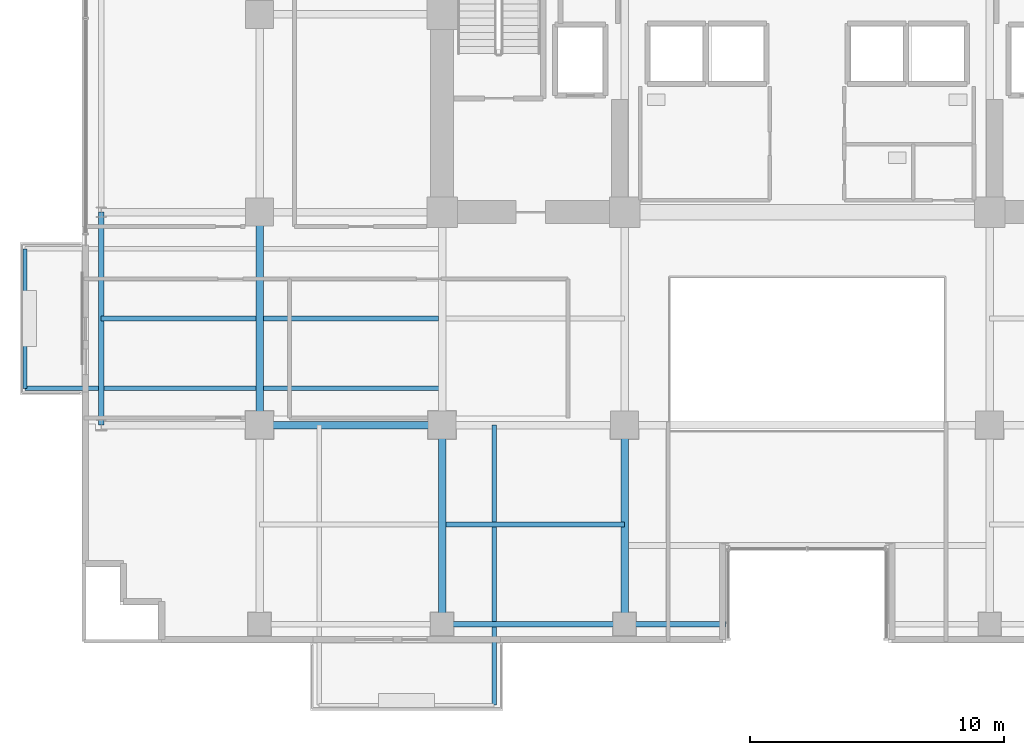
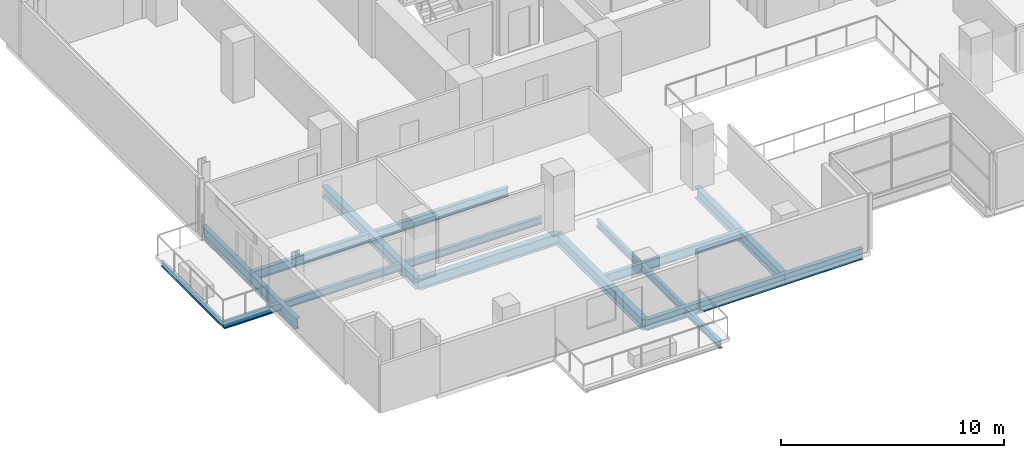
# One storey, part 2 of 32: 13 beams.
"""IFC4 building model written with IfcOpenShell, lengths in metres."""

from ifc_helpers import new_model, si_unit, direction, frame, origin, origin_2d, place, context, subcontext, project, spatial, i_section, extrude, material, material_profile, profile_set, type_object, element, save


model = new_model("IFC4")

# Units and contexts
model_context = context("Model", 3, precision=1e-05, world=origin(), true_north=direction((0.0, 1.0)))
body_context = subcontext(model_context, "Body", "Model", "MODEL_VIEW")
ifc_project = project(units=[si_unit("LENGTHUNIT", "METRE"), si_unit("AREAUNIT", "SQUARE_METRE"), si_unit("VOLUMEUNIT", "CUBIC_METRE"), si_unit("PLANEANGLEUNIT", "RADIAN"), si_unit("MASSUNIT", "GRAM", prefix="KILO")], contexts=[model_context])

# Site, building, storey
site_placement = place(None, origin())
site = spatial("IfcSite", under=ifc_project, at=site_placement, CompositionType="ELEMENT")
building_placement = place(site_placement, origin())
building = spatial("IfcBuilding", under=site, at=building_placement, Name="Zarnakvel Exchange Tower", CompositionType="ELEMENT")
storey_placement = place(building_placement, frame((0.0, 0.0, 73.60009765625)))
storey = spatial("IfcBuildingStorey", under=building, at=storey_placement, Name="L20", CompositionType="ELEMENT", Elevation=73.60009765625)

# Beams
ifc_material = material(Name="Steel S355", Category="steel")
ifc_material_profile_1 = material_profile(ifc_material, i_section(OverallWidth=0.199951171875, OverallDepth=0.5, WebThickness=0.01025390625, FlangeThickness=0.01611328125, FilletRadius=0.02099609375, at=origin_2d()))
ifc_profile_set_1 = profile_set([ifc_material_profile_1], Name="Steel S355")
beam_type_1 = type_object("IfcBeamType", Name="B-04", PredefinedType="JOIST", material=ifc_profile_set_1)
beam_1_placement = place(storey_placement, frame((-14.25, -13.52490234375, -0.47509765625), z_axis=(1.0, 0.0, 0.0), x_axis=(0.0, 1.0, 0.0)))
element("IfcBeam", 1, at=beam_1_placement, inside=storey, type_object=beam_type_1, Name="L20 Composite Floor Secondary Joist", PredefinedType="JOIST", context=body_context, shape_type="SweptSolid", body=[
    extrude(i_section(OverallWidth=0.199951171875, OverallDepth=0.5, WebThickness=0.01025390625, FlangeThickness=0.01611328125, FilletRadius=0.02099609375, at=origin_2d()), origin(), (0.0, 0.0, 1.0), 7.050048828125),
])
beam_2_placement = place(storey_placement, frame((-27.85009765625, -5.39990234375, -0.47509765625), z_axis=(1.0, 0.0, 0.0), x_axis=(0.0, 1.0, 0.0)))
element("IfcBeam", 2, at=beam_2_placement, inside=storey, type_object=beam_type_1, Name="L20 Composite Floor Secondary Joist", PredefinedType="JOIST", context=body_context, shape_type="SweptSolid", body=[
    extrude(i_section(OverallWidth=0.199951171875, OverallDepth=0.5, WebThickness=0.01025390625, FlangeThickness=0.01611328125, FilletRadius=0.02099609375, at=origin_2d()), origin(), (0.0, 0.0, 1.0), 6.10009765625),
])
beam_3_placement = place(storey_placement, frame((-21.449951171875, -5.39990234375, -0.47509765625), z_axis=(1.0, 0.0, 0.0), x_axis=(0.0, 1.0, 0.0)))
element("IfcBeam", 3, at=beam_3_placement, inside=storey, type_object=beam_type_1, Name="L20 Composite Floor Secondary Joist", PredefinedType="JOIST", context=body_context, shape_type="SweptSolid", body=[
    extrude(i_section(OverallWidth=0.199951171875, OverallDepth=0.5, WebThickness=0.01025390625, FlangeThickness=0.01611328125, FilletRadius=0.02099609375, at=origin_2d()), origin(), (0.0, 0.0, 1.0), 6.89990234375),
])
ifc_material_profile_2 = material_profile(ifc_material, i_section(OverallWidth=0.179931640625, OverallDepth=0.39990234375, WebThickness=0.008544921875, FlangeThickness=0.013427734375, FilletRadius=0.02099609375, at=origin_2d()))
ifc_profile_set_2 = profile_set([ifc_material_profile_2], Name="Steel S355")
beam_type_2 = type_object("IfcBeamType", Name="B-06", PredefinedType="JOIST", material=ifc_profile_set_2)
beam_4_placement = place(storey_placement, frame((-12.35009765625, -9.60009765625, -0.425048828125), z_axis=(0.0, -1.0, 0.0), x_axis=(1.0, 0.0, 0.0)))
element("IfcBeam", 4, at=beam_4_placement, inside=storey, type_object=beam_type_2, Name="L20 Continuous Back-Spanned Balcony Beam E", PredefinedType="JOIST", context=body_context, shape_type="SweptSolid", body=[
    extrude(i_section(OverallWidth=0.179931640625, OverallDepth=0.39990234375, WebThickness=0.008544921875, FlangeThickness=0.013427734375, FilletRadius=0.02099609375, at=origin_2d()), origin(), (0.0, 0.0, 1.0), 11.0498046875),
])
beam_5_placement = place(storey_placement, frame((-14.39990234375, -8.14990234375, -0.425048828125), z_axis=(-1.0, 0.0, 0.0), x_axis=(0.0, -1.0, 0.0)))
element("IfcBeam", 5, at=beam_5_placement, inside=storey, type_object=beam_type_2, Name="L20 Continuous West Loggia Beam S", PredefinedType="JOIST", context=body_context, shape_type="SweptSolid", body=[
    extrude(i_section(OverallWidth=0.179931640625, OverallDepth=0.39990234375, WebThickness=0.008544921875, FlangeThickness=0.013427734375, FilletRadius=0.02099609375, at=origin_2d()), origin(), (0.0, 0.0, 1.0), 16.4501953125),
])
ifc_material_profile_3 = material_profile(ifc_material, i_section(OverallWidth=0.14990234375, OverallDepth=0.300048828125, WebThickness=0.007080078125, FlangeThickness=0.0107421875, FilletRadius=0.014892578125, at=origin_2d()))
ifc_profile_set_3 = profile_set([ifc_material_profile_3], Name="Steel S355")
beam_type_3 = type_object("IfcBeamType", Name="B-08", PredefinedType="JOIST", material=ifc_profile_set_3)
beam_6_placement = place(storey_placement, frame((-30.85009765625, -8.14990234375, -0.375), z_axis=(0.0, 1.0, 0.0), x_axis=(-1.0, 0.0, 0.0)))
element("IfcBeam", 6, at=beam_6_placement, inside=storey, type_object=beam_type_3, Name="L20 West Loggia Edge Beam", PredefinedType="JOIST", context=body_context, shape_type="SweptSolid", body=[
    extrude(i_section(OverallWidth=0.14990234375, OverallDepth=0.300048828125, WebThickness=0.007080078125, FlangeThickness=0.0107421875, FilletRadius=0.014892578125, at=origin_2d()), origin(), (0.0, 0.0, 1.0), 5.5),
])
ifc_material_profile_4 = material_profile(ifc_material, i_section(OverallWidth=0.300048828125, OverallDepth=0.60009765625, WebThickness=0.015380859375, FlangeThickness=0.030029296875, FilletRadius=0.027099609375, at=origin_2d()))
ifc_profile_set_4 = profile_set([ifc_material_profile_4], Name="Steel S355")
beam_type_4 = type_object("IfcBeamType", Name="G-04", PredefinedType="BEAM", material=ifc_profile_set_4)
beam_7_placement = place(storey_placement, frame((-21.60009765625, -9.60009765625, -0.525146484375), z_axis=(1.0, 0.0, 0.0), x_axis=(0.0, 1.0, 0.0)))
element("IfcBeam", 7, at=beam_7_placement, inside=storey, type_object=beam_type_4, Name="L20 Tower E-W Frame Beam", PredefinedType="BEAM", context=body_context, shape_type="SweptSolid", body=[
    extrude(i_section(OverallWidth=0.300048828125, OverallDepth=0.60009765625, WebThickness=0.015380859375, FlangeThickness=0.030029296875, FilletRadius=0.027099609375, at=origin_2d()), origin(), (0.0, 0.0, 1.0), 7.2001953125),
])
beam_8_placement = place(storey_placement, frame((-21.60009765625, -9.60009765625, -0.525146484375), z_axis=(0.0, 1.0, 0.0), x_axis=(-1.0, 0.0, 0.0)))
element("IfcBeam", 8, at=beam_8_placement, inside=storey, type_object=beam_type_4, Name="L20 Tower N-S Frame Beam", PredefinedType="BEAM", context=body_context, shape_type="SweptSolid", body=[
    extrude(i_section(OverallWidth=0.300048828125, OverallDepth=0.60009765625, WebThickness=0.015380859375, FlangeThickness=0.030029296875, FilletRadius=0.027099609375, at=origin_2d()), origin(), (0.0, 0.0, 1.0), 8.400146484375),
])
for number, where, z_axis, x_axis, name in (
    (9, (-14.39990234375, -17.449951171875, -0.525146484375), (0.0, 1.0, 0.0), (-1.0, 0.0, 0.0), "L20 Tower N-S Frame Beam"),
    (10, (-7.199951171875, -17.449951171875, -0.525146484375), (0.0, 1.0, 0.0), (-1.0, 0.0, 0.0), "L20 Tower N-S Frame Beam"),
):
    element("IfcBeam", number, at=place(storey_placement, frame(where, z_axis=z_axis, x_axis=x_axis)), inside=storey, type_object=beam_type_4, Name=name, PredefinedType="BEAM", context=body_context, shape_type="SweptSolid", body=[
        extrude(i_section(OverallWidth=0.300048828125, OverallDepth=0.60009765625, WebThickness=0.015380859375, FlangeThickness=0.030029296875, FilletRadius=0.027099609375, at=origin_2d()), origin(), (0.0, 0.0, 1.0), 7.849853515625),
    ])
ifc_material_profile_5 = material_profile(ifc_material, i_section(OverallWidth=0.219970703125, OverallDepth=0.60009765625, WebThickness=0.011962890625, FlangeThickness=0.01904296875, FilletRadius=0.02392578125, at=origin_2d()))
ifc_profile_set_5 = profile_set([ifc_material_profile_5], Name="Steel S355")
beam_type_5 = type_object("IfcBeamType", Name="SP-01", PredefinedType="SPANDREL", material=ifc_profile_set_5)
beam_9_placement = place(storey_placement, frame((-14.39990234375, -17.449951171875, -0.525146484375), z_axis=(1.0, 0.0, 0.0), x_axis=(0.0, 1.0, 0.0)))
element("IfcBeam", 11, at=beam_9_placement, inside=storey, type_object=beam_type_5, Name="L20 Tower E-W Frame Beam", PredefinedType="SPANDREL", context=body_context, shape_type="SweptSolid", body=[
    extrude(i_section(OverallWidth=0.219970703125, OverallDepth=0.60009765625, WebThickness=0.011962890625, FlangeThickness=0.01904296875, FilletRadius=0.02392578125, at=origin_2d()), origin(), (0.0, 0.0, 1.0), 7.199951171875),
])
beam_10_placement = place(storey_placement, frame((-7.199951171875, -17.449951171875, -0.525146484375), z_axis=(1.0, 0.0, 0.0), x_axis=(0.0, 1.0, 0.0)))
element("IfcBeam", 12, at=beam_10_placement, inside=storey, type_object=beam_type_5, Name="L20 South Slot West Jamb Spandrel", PredefinedType="SPANDREL", context=body_context, shape_type="SweptSolid", body=[
    extrude(i_section(OverallWidth=0.219970703125, OverallDepth=0.60009765625, WebThickness=0.011962890625, FlangeThickness=0.01904296875, FilletRadius=0.02392578125, at=origin_2d()), origin(), (0.0, 0.0, 1.0), 4.0),
])
beam_11_placement = place(storey_placement, frame((-27.85009765625, -9.60009765625, -0.525146484375), z_axis=(0.0, 1.0, 0.0), x_axis=(-1.0, 0.0, 0.0)))
element("IfcBeam", 13, at=beam_11_placement, inside=storey, type_object=beam_type_5, Name="L20 Tower N-S Frame Beam", PredefinedType="SPANDREL", context=body_context, shape_type="SweptSolid", body=[
    extrude(i_section(OverallWidth=0.219970703125, OverallDepth=0.60009765625, WebThickness=0.011962890625, FlangeThickness=0.01904296875, FilletRadius=0.02392578125, at=origin_2d()), origin(), (0.0, 0.0, 1.0), 8.400146484375),
])

save(model, "model.ifc")
